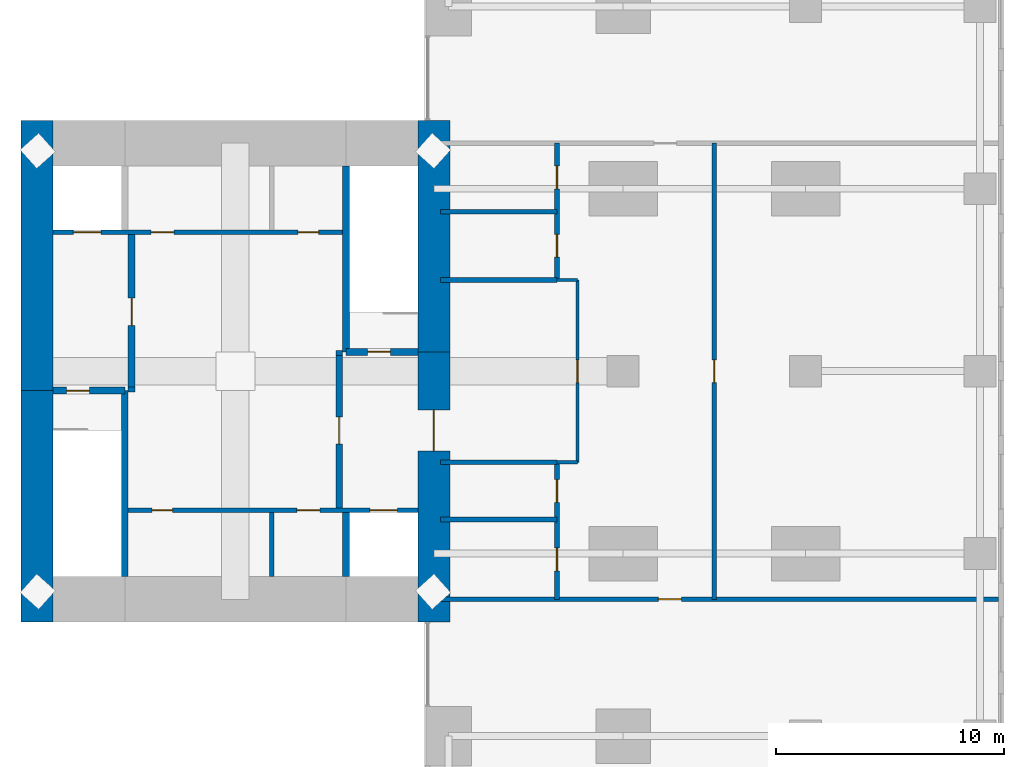
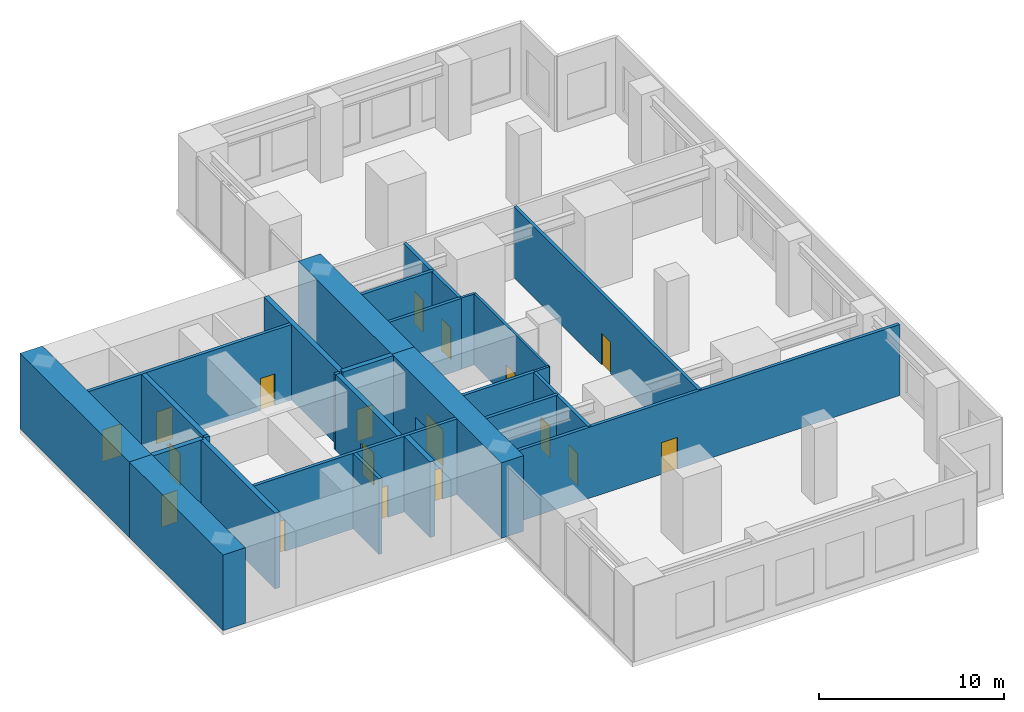
# One storey, part 5 of 7: 27 walls, 18 doors, 18 openings.
"""IFC4 building model written with IfcOpenShell, lengths in metres."""

from ifc_helpers import new_model, si_unit, direction, frame, frame_2d, origin, place, context, subcontext, project, spatial, rectangle, extrude, material, layer, layer_set, type_object, element, fill, save


model = new_model("IFC4")

# Units and contexts
model_context = context("Model", 3, precision=1e-05, world=origin(), true_north=direction((0.0, 1.0)))
body_context = subcontext(model_context, "Body", "Model", "MODEL_VIEW")
ifc_project = project(units=[si_unit("LENGTHUNIT", "METRE"), si_unit("AREAUNIT", "SQUARE_METRE"), si_unit("VOLUMEUNIT", "CUBIC_METRE"), si_unit("PLANEANGLEUNIT", "RADIAN"), si_unit("MASSUNIT", "GRAM", prefix="KILO")], contexts=[model_context])

# Site, building, storey
site_placement = place(None, origin())
site = spatial("IfcSite", under=ifc_project, at=site_placement, CompositionType="ELEMENT")
building_placement = place(site_placement, origin())
building = spatial("IfcBuilding", under=site, at=building_placement, Name="Cleftline Residences", CompositionType="ELEMENT")
storey_placement = place(building_placement, frame((0.0, 0.0, 296.60009765625)))
storey = spatial("IfcBuildingStorey", under=building, at=storey_placement, Name="L77", CompositionType="ELEMENT", Elevation=296.60009765625)

# Walls
ifc_material_1 = material(Name="Concrete B70", Category="concrete")
ifc_layer_1 = layer(ifc_material_1, 1.39990234375)
ifc_layer_set_1 = layer_set([ifc_layer_1], Name="CORE WALL 1400")
wall_type_1 = type_object("IfcWallType", Name="CORE WALL 1400", PredefinedType="SHEAR", material=ifc_layer_set_1)
wall_1_placement = place(storey_placement, frame((24.300048828125, 13.0, 0.0), z_axis=(0.0, 0.0, 1.0), x_axis=(0.0, 1.0, 0.0)))
element("IfcWall", 1, at=wall_1_placement, inside=storey, type_object=wall_type_1, Name="Core wall W0", PredefinedType="SHEAR", context=body_context, shape_type="SweptSolid", body=[
    extrude(rectangle(XDim=10.14990234375, YDim=1.39990234375, at=frame_2d((5.074951171875, 0.0))), origin(), (0.0, 0.0, 1.0), 5.0),
])
wall_2_placement = place(storey_placement, frame((24.300048828125, 23.14990234375, 0.0), z_axis=(0.0, 0.0, 1.0), x_axis=(0.0, 1.0, 0.0)))
element("IfcWall", 2, at=wall_2_placement, inside=storey, type_object=wall_type_1, Name="Core wall W", PredefinedType="SHEAR", context=body_context, shape_type="SweptSolid", body=[
    extrude(rectangle(XDim=11.85009765625, YDim=1.39990234375, at=frame_2d((5.925048828125, 0.0))), origin(), (0.0, 0.0, 1.0), 5.0),
])

# Wall, opening, door
wall_3_placement = place(storey_placement, frame((41.699951171875, 13.0, 0.0), z_axis=(0.0, 0.0, 1.0), x_axis=(0.0, 1.0, 0.0)))
wall_3 = element("IfcWall", 3, at=wall_3_placement, inside=storey, type_object=wall_type_1, Name="Core wall E", PredefinedType="SHEAR", context=body_context, shape_type="SweptSolid", body=[
    extrude(rectangle(XDim=11.85009765625, YDim=1.39990234375, at=frame_2d((5.925048828125, 0.0))), origin(), (0.0, 0.0, 1.0), 5.0),
])
opening_1_placement = place(wall_3_placement, frame((7.5, 0.0, 0.0)))
opening_1 = element("IfcOpeningElement", 4, at=opening_1_placement, cuts=wall_3, Name="Opening D7", PredefinedType="OPENING", context=body_context, shape_type="SweptSolid", body=[
    extrude(rectangle(XDim=1.800048828125, YDim=2.39990234375, at=frame_2d((0.89990234375, 1.199951171875))), frame((0.0, 0.7099609375, 0.0), z_axis=(0.0, -1.0, 0.0), x_axis=(1.0, 0.0, 0.0)), (0.0, 0.0, 1.0), 1.419921875),
])
ifc_material_2 = material(Name="Steel", Category="steel")
door_type_1 = type_object("IfcDoorType", Name="WING DOOR 1800X2400", OperationType="DOUBLE_DOOR_DOUBLE_SWING", PredefinedType="DOOR", material=ifc_material_2)
door_1_placement = place(opening_1_placement, origin())
door_1 = element("IfcDoor", 5, at=door_1_placement, inside=storey, type_object=door_type_1, Name="East wing door", OperationType="DOUBLE_DOOR_DOUBLE_SWING", OverallHeight=2.39990234375, OverallWidth=1.800048828125, PredefinedType="DOOR", context=body_context, shape_type="SweptSolid", body=[
    extrude(rectangle(XDim=1.800048828125, YDim=2.39990234375, at=frame_2d((0.89990234375, 1.199951171875))), frame((0.0, 0.02490234375, 0.0), z_axis=(0.0, -1.0, 0.0), x_axis=(1.0, 0.0, 0.0)), (0.0, 0.0, 1.0), 0.050048828125),
])
fill(opening_1, door_1)

# Walls
wall_4_placement = place(storey_placement, frame((41.699951171875, 24.85009765625, 0.0), z_axis=(0.0, 0.0, 1.0), x_axis=(0.0, 1.0, 0.0)))
element("IfcWall", 6, at=wall_4_placement, inside=storey, type_object=wall_type_1, Name="Core wall E1", PredefinedType="SHEAR", context=body_context, shape_type="SweptSolid", body=[
    extrude(rectangle(XDim=10.14990234375, YDim=1.39990234375, at=frame_2d((5.074951171875, 0.0))), origin(), (0.0, 0.0, 1.0), 5.0),
])
ifc_material_3 = material(Name="Concrete B70", Category="concrete")
ifc_layer_2 = layer(ifc_material_3, 0.300048828125)
ifc_layer_set_2 = layer_set([ifc_layer_2], Name="CORE WALL 300")
wall_type_2 = type_object("IfcWallType", Name="CORE WALL 300", PredefinedType="SHEAR", material=ifc_layer_set_2)
wall_5_placement = place(storey_placement, frame((28.14990234375, 15.0, 0.0), z_axis=(0.0, 0.0, 1.0), x_axis=(0.0, 1.0, 0.0)))
element("IfcWall", 7, at=wall_5_placement, inside=storey, type_object=wall_type_2, Name="Core wall SA-E", PredefinedType="SHEAR", context=body_context, shape_type="SweptSolid", body=[
    extrude(rectangle(XDim=8.14990234375, YDim=0.300048828125, at=frame_2d((4.074951171875, 0.0))), origin(), (0.0, 0.0, 1.0), 5.0),
])

# Wall, opening, door
wall_6_placement = place(storey_placement, frame((25.0, 23.14990234375, 0.0), z_axis=(0.0, 0.0, 1.0), x_axis=(1.0, 0.0, 0.0)))
wall_6 = element("IfcWall", 8, at=wall_6_placement, inside=storey, type_object=wall_type_2, Name="Core wall SA-N", PredefinedType="SHEAR", context=body_context, shape_type="SweptSolid", body=[
    extrude(rectangle(XDim=3.14990234375, YDim=0.300048828125, at=frame_2d((1.574951171875, 0.0))), origin(), (0.0, 0.0, 1.0), 5.0),
])
opening_2_placement = place(wall_6_placement, frame((0.60009765625, 0.0, 0.0)))
opening_2 = element("IfcOpeningElement", 9, at=opening_2_placement, cuts=wall_6, Name="Opening D5", PredefinedType="OPENING", context=body_context, shape_type="SweptSolid", body=[
    extrude(rectangle(XDim=1.0, YDim=2.10009765625, at=frame_2d((0.5, 1.050048828125))), frame((0.0, 0.159912109375, 0.0), z_axis=(0.0, -1.0, 0.0), x_axis=(1.0, 0.0, 0.0)), (0.0, 0.0, 1.0), 0.320068359375),
])
ifc_material_4 = material(Name="Steel", Category="steel")
door_type_2 = type_object("IfcDoorType", Name="STAIR DOOR 1000X2100", OperationType="SINGLE_SWING_LEFT", PredefinedType="DOOR", material=ifc_material_4)
door_2_placement = place(opening_2_placement, origin())
door_2 = element("IfcDoor", 10, at=door_2_placement, inside=storey, type_object=door_type_2, Name="Stair A door", OperationType="SINGLE_SWING_RIGHT", OverallHeight=2.10009765625, OverallWidth=1.0, PredefinedType="DOOR", context=body_context, shape_type="SweptSolid", body=[
    extrude(rectangle(XDim=1.0, YDim=2.10009765625, at=frame_2d((0.5, 1.050048828125))), frame((0.0, 0.02490234375, 0.0), z_axis=(0.0, -1.0, 0.0), x_axis=(1.0, 0.0, 0.0)), (0.0, 0.0, 1.0), 0.050048828125),
])
fill(opening_2, door_2)

# Wall
wall_7_placement = place(storey_placement, frame((37.85009765625, 24.85009765625, 0.0), z_axis=(0.0, 0.0, 1.0), x_axis=(0.0, 1.0, 0.0)))
element("IfcWall", 11, at=wall_7_placement, inside=storey, type_object=wall_type_2, Name="Core wall SB-W", PredefinedType="SHEAR", context=body_context, shape_type="SweptSolid", body=[
    extrude(rectangle(XDim=8.14990234375, YDim=0.300048828125, at=frame_2d((4.074951171875, 0.0))), origin(), (0.0, 0.0, 1.0), 5.0),
])

# Wall, opening, door
wall_8_placement = place(storey_placement, frame((37.85009765625, 24.85009765625, 0.0), z_axis=(0.0, 0.0, 1.0), x_axis=(1.0, 0.0, 0.0)))
wall_8 = element("IfcWall", 12, at=wall_8_placement, inside=storey, type_object=wall_type_2, Name="Core wall SB-S", PredefinedType="SHEAR", context=body_context, shape_type="SweptSolid", body=[
    extrude(rectangle(XDim=3.14990234375, YDim=0.300048828125, at=frame_2d((1.574951171875, 0.0))), origin(), (0.0, 0.0, 1.0), 5.0),
])
opening_3_placement = place(wall_8_placement, frame((0.949951171875, 0.0, 0.0)))
opening_3 = element("IfcOpeningElement", 13, at=opening_3_placement, cuts=wall_8, Name="Opening D5", PredefinedType="OPENING", context=body_context, shape_type="SweptSolid", body=[
    extrude(rectangle(XDim=1.0, YDim=2.10009765625, at=frame_2d((0.5, 1.050048828125))), frame((0.0, 0.159912109375, 0.0), z_axis=(0.0, -1.0, 0.0), x_axis=(1.0, 0.0, 0.0)), (0.0, 0.0, 1.0), 0.320068359375),
])
door_3_placement = place(opening_3_placement, origin())
door_3 = element("IfcDoor", 14, at=door_3_placement, inside=storey, type_object=door_type_2, Name="Stair B door", OperationType="SINGLE_SWING_RIGHT", OverallHeight=2.10009765625, OverallWidth=1.0, PredefinedType="DOOR", context=body_context, shape_type="SweptSolid", body=[
    extrude(rectangle(XDim=1.0, YDim=2.10009765625, at=frame_2d((0.5, 1.050048828125))), frame((0.0, 0.02490234375, 0.0), z_axis=(0.0, -1.0, 0.0), x_axis=(1.0, 0.0, 0.0)), (0.0, 0.0, 1.0), 0.050048828125),
])
fill(opening_3, door_3)

# Wall
wall_9_placement = place(storey_placement, frame((37.85009765625, 15.0, 0.0), z_axis=(0.0, 0.0, 1.0), x_axis=(0.0, 1.0, 0.0)))
element("IfcWall", 15, at=wall_9_placement, inside=storey, type_object=wall_type_2, Name="Lift shaft wall", PredefinedType="SHEAR", context=body_context, shape_type="SweptSolid", body=[
    extrude(rectangle(XDim=2.800048828125, YDim=0.300048828125, at=frame_2d((1.39990234375, 0.0))), origin(), (0.0, 0.0, 1.0), 5.0),
])

# Wall, opening, door
ifc_material_5 = material(Name="Concrete blockwork, fire rated", Category="masonry")
ifc_layer_3 = layer(ifc_material_5, 0.199951171875)
ifc_layer_set_3 = layer_set([ifc_layer_3], Name="FIRE WALL 200")
wall_type_3 = type_object("IfcWallType", Name="FIRE WALL 200", PredefinedType="PARTITIONING", material=ifc_layer_set_3)
wall_10_placement = place(storey_placement, frame((42.0, 14.0, 0.0), z_axis=(0.0, 0.0, 1.0), x_axis=(1.0, 0.0, 0.0)))
wall_10 = element("IfcWall", 16, at=wall_10_placement, inside=storey, type_object=wall_type_3, Name="Fire separating wall", PredefinedType="PARTITIONING", context=body_context, shape_type="SweptSolid", body=[
    extrude(rectangle(XDim=24.449951171875, YDim=0.199951171875, at=frame_2d((12.22509765625, 0.0))), origin(), (0.0, 0.0, 1.0), 4.699951171875),
])
opening_4_placement = place(wall_10_placement, frame((9.550048828125, 0.0, 0.0)))
opening_4 = element("IfcOpeningElement", 17, at=opening_4_placement, cuts=wall_10, Name="Opening D2F60", PredefinedType="OPENING", context=body_context, shape_type="SweptSolid", body=[
    extrude(rectangle(XDim=1.0, YDim=2.10009765625, at=frame_2d((0.5, 1.050048828125))), frame((0.0, 0.10986328125, 0.0), z_axis=(0.0, -1.0, 0.0), x_axis=(1.0, 0.0, 0.0)), (0.0, 0.0, 1.0), 0.219970703125),
])
ifc_material_6 = material(Name="Timber veneer on solid core", Category="wood")
door_type_3 = type_object("IfcDoorType", Name="DOOR 1000X2100 EI 60", OperationType="SINGLE_SWING_LEFT", PredefinedType="DOOR", material=ifc_material_6)
door_4_placement = place(opening_4_placement, origin())
door_4 = element("IfcDoor", 18, at=door_4_placement, inside=storey, type_object=door_type_3, Name="Door to electrical switch room", OperationType="SINGLE_SWING_RIGHT", OverallHeight=2.10009765625, OverallWidth=1.0, PredefinedType="DOOR", context=body_context, shape_type="SweptSolid", body=[
    extrude(rectangle(XDim=1.0, YDim=2.10009765625, at=frame_2d((0.5, 1.050048828125))), frame((0.0, 0.02490234375, 0.0), z_axis=(0.0, -1.0, 0.0), x_axis=(1.0, 0.0, 0.0)), (0.0, 0.0, 1.0), 0.050048828125),
])
fill(opening_4, door_4)

# Walls
for number, where, z_axis, x_axis, name in (
    (19, (42.0, 17.5, 0.0), (0.0, 0.0, 1.0), (1.0, 0.0, 0.0), "Fire separating wall"),
    (20, (42.0, 20.0, 0.0), (0.0, 0.0, 1.0), (1.0, 0.0, 0.0), "Fire separating wall"),
    (21, (42.0, 28.0, 0.0), (0.0, 0.0, 1.0), (1.0, 0.0, 0.0), "Fire separating wall"),
    (22, (42.0, 31.0, 0.0), (0.0, 0.0, 1.0), (1.0, 0.0, 0.0), "Fire separating wall"),
):
    element("IfcWall", number, at=place(storey_placement, frame(where, z_axis=z_axis, x_axis=x_axis)), inside=storey, type_object=wall_type_3, Name=name, PredefinedType="PARTITIONING", context=body_context, shape_type="SweptSolid", body=[
        extrude(rectangle(XDim=5.10009765625, YDim=0.199951171875, at=frame_2d((2.550048828125, 0.0))), origin(), (0.0, 0.0, 1.0), 4.699951171875),
    ])

# Wall, openings, doors
wall_11_placement = place(storey_placement, frame((47.10009765625, 14.0, 0.0), z_axis=(0.0, 0.0, 1.0), x_axis=(0.0, 1.0, 0.0)))
wall_11 = element("IfcWall", 23, at=wall_11_placement, inside=storey, type_object=wall_type_3, Name="Fire separating wall", PredefinedType="PARTITIONING", context=body_context, shape_type="SweptSolid", body=[
    extrude(rectangle(XDim=6.0, YDim=0.199951171875, at=frame_2d((3.0, 0.0))), origin(), (0.0, 0.0, 1.0), 4.699951171875),
])
opening_5_placement = place(wall_11_placement, frame((1.25, 0.0, 0.0)))
opening_5 = element("IfcOpeningElement", 24, at=opening_5_placement, cuts=wall_11, Name="Opening D2F60", PredefinedType="OPENING", context=body_context, shape_type="SweptSolid", body=[
    extrude(rectangle(XDim=1.0, YDim=2.10009765625, at=frame_2d((0.5, 1.050048828125))), frame((0.0, 0.10986328125, 0.0), z_axis=(0.0, -1.0, 0.0), x_axis=(1.0, 0.0, 0.0)), (0.0, 0.0, 1.0), 0.219970703125),
])
opening_6_placement = place(wall_11_placement, frame((4.25, 0.0, 0.0)))
opening_6 = element("IfcOpeningElement", 25, at=opening_6_placement, cuts=wall_11, Name="Opening D2F60", PredefinedType="OPENING", context=body_context, shape_type="SweptSolid", body=[
    extrude(rectangle(XDim=1.0, YDim=2.10009765625, at=frame_2d((0.5, 1.050048828125))), frame((0.0, 0.10986328125, 0.0), z_axis=(0.0, -1.0, 0.0), x_axis=(1.0, 0.0, 0.0)), (0.0, 0.0, 1.0), 0.219970703125),
])
door_5_placement = place(opening_5_placement, origin())
door_5 = element("IfcDoor", 26, at=door_5_placement, inside=storey, type_object=door_type_3, Name="Door to electrical room", OperationType="SINGLE_SWING_RIGHT", OverallHeight=2.10009765625, OverallWidth=1.0, PredefinedType="DOOR", context=body_context, shape_type="SweptSolid", body=[
    extrude(rectangle(XDim=1.0, YDim=2.10009765625, at=frame_2d((0.5, 1.050048828125))), frame((0.0, 0.02490234375, 0.0), z_axis=(0.0, -1.0, 0.0), x_axis=(1.0, 0.0, 0.0)), (0.0, 0.0, 1.0), 0.050048828125),
])
fill(opening_5, door_5)
door_6_placement = place(opening_6_placement, origin())
door_6 = element("IfcDoor", 27, at=door_6_placement, inside=storey, type_object=door_type_3, Name="Door to fire pump room", OperationType="SINGLE_SWING_LEFT", OverallHeight=2.10009765625, OverallWidth=1.0, PredefinedType="DOOR", context=body_context, shape_type="SweptSolid", body=[
    extrude(rectangle(XDim=1.0, YDim=2.10009765625, at=frame_2d((0.5, 1.050048828125))), frame((0.0, 0.02490234375, 0.0), z_axis=(0.0, -1.0, 0.0), x_axis=(1.0, 0.0, 0.0)), (0.0, 0.0, 1.0), 0.050048828125),
])
fill(opening_6, door_6)

wall_12_placement = place(storey_placement, frame((47.10009765625, 28.0, 0.0), z_axis=(0.0, 0.0, 1.0), x_axis=(0.0, 1.0, 0.0)))
wall_12 = element("IfcWall", 28, at=wall_12_placement, inside=storey, type_object=wall_type_3, Name="Fire separating wall", PredefinedType="PARTITIONING", context=body_context, shape_type="SweptSolid", body=[
    extrude(rectangle(XDim=6.0, YDim=0.199951171875, at=frame_2d((3.0, 0.0))), origin(), (0.0, 0.0, 1.0), 4.699951171875),
])
opening_7_placement = place(wall_12_placement, frame((1.0, 0.0, 0.0)))
opening_7 = element("IfcOpeningElement", 29, at=opening_7_placement, cuts=wall_12, Name="Opening D2F60", PredefinedType="OPENING", context=body_context, shape_type="SweptSolid", body=[
    extrude(rectangle(XDim=1.0, YDim=2.10009765625, at=frame_2d((0.5, 1.050048828125))), frame((0.0, 0.10986328125, 0.0), z_axis=(0.0, -1.0, 0.0), x_axis=(1.0, 0.0, 0.0)), (0.0, 0.0, 1.0), 0.219970703125),
])
opening_8_placement = place(wall_12_placement, frame((4.0, 0.0, 0.0)))
opening_8 = element("IfcOpeningElement", 30, at=opening_8_placement, cuts=wall_12, Name="Opening D2F60", PredefinedType="OPENING", context=body_context, shape_type="SweptSolid", body=[
    extrude(rectangle(XDim=1.0, YDim=2.10009765625, at=frame_2d((0.5, 1.050048828125))), frame((0.0, 0.10986328125, 0.0), z_axis=(0.0, -1.0, 0.0), x_axis=(1.0, 0.0, 0.0)), (0.0, 0.0, 1.0), 0.219970703125),
])
door_7_placement = place(opening_7_placement, origin())
door_7 = element("IfcDoor", 31, at=door_7_placement, inside=storey, type_object=door_type_3, Name="Door to water tank room", OperationType="SINGLE_SWING_RIGHT", OverallHeight=2.10009765625, OverallWidth=1.0, PredefinedType="DOOR", context=body_context, shape_type="SweptSolid", body=[
    extrude(rectangle(XDim=1.0, YDim=2.10009765625, at=frame_2d((0.5, 1.050048828125))), frame((0.0, 0.02490234375, 0.0), z_axis=(0.0, -1.0, 0.0), x_axis=(1.0, 0.0, 0.0)), (0.0, 0.0, 1.0), 0.050048828125),
])
fill(opening_7, door_7)
door_8_placement = place(opening_8_placement, origin())
door_8 = element("IfcDoor", 32, at=door_8_placement, inside=storey, type_object=door_type_3, Name="Door to communications room", OperationType="SINGLE_SWING_LEFT", OverallHeight=2.10009765625, OverallWidth=1.0, PredefinedType="DOOR", context=body_context, shape_type="SweptSolid", body=[
    extrude(rectangle(XDim=1.0, YDim=2.10009765625, at=frame_2d((0.5, 1.050048828125))), frame((0.0, 0.02490234375, 0.0), z_axis=(0.0, -1.0, 0.0), x_axis=(1.0, 0.0, 0.0)), (0.0, 0.0, 1.0), 0.050048828125),
])
fill(opening_8, door_8)

# Wall, opening, door
wall_13_placement = place(storey_placement, frame((54.0, 14.0, 0.0), z_axis=(0.0, 0.0, 1.0), x_axis=(0.0, 1.0, 0.0)))
wall_13 = element("IfcWall", 33, at=wall_13_placement, inside=storey, type_object=wall_type_3, Name="Fire separating wall", PredefinedType="PARTITIONING", context=body_context, shape_type="SweptSolid", body=[
    extrude(rectangle(XDim=20.0, YDim=0.199951171875, at=frame_2d((10.0, 0.0))), origin(), (0.0, 0.0, 1.0), 4.699951171875),
])
opening_9_placement = place(wall_13_placement, frame((9.5, 0.0, 0.0)))
opening_9 = element("IfcOpeningElement", 34, at=opening_9_placement, cuts=wall_13, Name="Opening D2F60", PredefinedType="OPENING", context=body_context, shape_type="SweptSolid", body=[
    extrude(rectangle(XDim=1.0, YDim=2.10009765625, at=frame_2d((0.5, 1.050048828125))), frame((0.0, 0.10986328125, 0.0), z_axis=(0.0, -1.0, 0.0), x_axis=(1.0, 0.0, 0.0)), (0.0, 0.0, 1.0), 0.219970703125),
])
door_9_placement = place(opening_9_placement, origin())
door_9 = element("IfcDoor", 35, at=door_9_placement, inside=storey, type_object=door_type_3, Name="Door to ventilation plant room", OperationType="SINGLE_SWING_LEFT", OverallHeight=2.10009765625, OverallWidth=1.0, PredefinedType="DOOR", context=body_context, shape_type="SweptSolid", body=[
    extrude(rectangle(XDim=1.0, YDim=2.10009765625, at=frame_2d((0.5, 1.050048828125))), frame((0.0, 0.02490234375, 0.0), z_axis=(0.0, -1.0, 0.0), x_axis=(1.0, 0.0, 0.0)), (0.0, 0.0, 1.0), 0.050048828125),
])
fill(opening_9, door_9)

# Walls
for number, where, z_axis, x_axis, name in (
    (36, (28.300048828125, 23.199951171875, 0.0), (0.0, 0.0, 1.0), (1.0, 0.0, 0.0), "Fire separating wall"),
    (37, (37.39990234375, 24.800048828125, 0.0), (0.0, 0.0, 1.0), (1.0, 0.0, 0.0), "Fire separating wall"),
):
    element("IfcWall", number, at=place(storey_placement, frame(where, z_axis=z_axis, x_axis=x_axis)), inside=storey, type_object=wall_type_3, Name=name, PredefinedType="PARTITIONING", context=body_context, shape_type="SweptSolid", body=[
        extrude(rectangle(XDim=0.300048828125, YDim=0.199951171875, at=frame_2d((0.14990234375, 0.0))), origin(), (0.0, 0.0, 1.0), 5.0),
    ])
ifc_material_7 = material(Name="Gypsum board on steel studs", Category="steel")
ifc_layer_4 = layer(ifc_material_7, 0.14990234375)
ifc_layer_set_4 = layer_set([ifc_layer_4], Name="PARTITION 150")
wall_type_4 = type_object("IfcWallType", Name="PARTITION 150", PredefinedType="PARTITIONING", material=ifc_layer_set_4)
for number, where, z_axis, x_axis, name in (
    (38, (47.10009765625, 20.0, 0.0), (0.0, 0.0, 1.0), (1.0, 0.0, 0.0), "Partition"),
    (39, (47.10009765625, 28.0, 0.0), (0.0, 0.0, 1.0), (1.0, 0.0, 0.0), "Partition"),
):
    element("IfcWall", number, at=place(storey_placement, frame(where, z_axis=z_axis, x_axis=x_axis)), inside=storey, type_object=wall_type_4, Name=name, PredefinedType="PARTITIONING", context=body_context, shape_type="SweptSolid", body=[
        extrude(rectangle(XDim=0.89990234375, YDim=0.14990234375, at=frame_2d((0.449951171875, 0.0))), origin(), (0.0, 0.0, 1.0), 4.699951171875),
    ])

# Wall, opening, door
wall_14_placement = place(storey_placement, frame((48.0, 20.0, 0.0), z_axis=(0.0, 0.0, 1.0), x_axis=(0.0, 1.0, 0.0)))
wall_14 = element("IfcWall", 40, at=wall_14_placement, inside=storey, type_object=wall_type_4, Name="Partition", PredefinedType="PARTITIONING", context=body_context, shape_type="SweptSolid", body=[
    extrude(rectangle(XDim=8.0, YDim=0.14990234375, at=frame_2d((4.0, 0.0))), origin(), (0.0, 0.0, 1.0), 4.699951171875),
])
opening_10_placement = place(wall_14_placement, frame((3.5, 0.0, 0.0)))
opening_10 = element("IfcOpeningElement", 41, at=opening_10_placement, cuts=wall_14, Name="Opening D2F30", PredefinedType="OPENING", context=body_context, shape_type="SweptSolid", body=[
    extrude(rectangle(XDim=1.0, YDim=2.10009765625, at=frame_2d((0.5, 1.050048828125))), frame((0.0, 0.0849609375, 0.0), z_axis=(0.0, -1.0, 0.0), x_axis=(1.0, 0.0, 0.0)), (0.0, 0.0, 1.0), 0.169921875),
])
ifc_material_8 = material(Name="Timber veneer on solid core", Category="wood")
door_type_4 = type_object("IfcDoorType", Name="DOOR 1000X2100 EI 30", OperationType="SINGLE_SWING_LEFT", PredefinedType="DOOR", material=ifc_material_8)
door_10_placement = place(opening_10_placement, origin())
door_10 = element("IfcDoor", 42, at=door_10_placement, inside=storey, type_object=door_type_4, Name="Door to corridor", OperationType="SINGLE_SWING_LEFT", OverallHeight=2.10009765625, OverallWidth=1.0, PredefinedType="DOOR", context=body_context, shape_type="SweptSolid", body=[
    extrude(rectangle(XDim=1.0, YDim=2.10009765625, at=frame_2d((0.5, 1.050048828125))), frame((0.0, 0.02490234375, 0.0), z_axis=(0.0, -1.0, 0.0), x_axis=(1.0, 0.0, 0.0)), (0.0, 0.0, 1.0), 0.050048828125),
])
fill(opening_10, door_10)

# Wall, openings, doors
ifc_material_9 = material(Name="Concrete blockwork, fire rated", Category="masonry")
ifc_layer_5 = layer(ifc_material_9, 0.199951171875)
ifc_layer_set_5 = layer_set([ifc_layer_5], Name="SHAFT WALL 200")
wall_type_5 = type_object("IfcWallType", Name="SHAFT WALL 200", PredefinedType="PARTITIONING", material=ifc_layer_set_5)
wall_15_placement = place(storey_placement, frame((28.300048828125, 17.89990234375, 0.0), z_axis=(0.0, 0.0, 1.0), x_axis=(1.0, 0.0, 0.0)))
wall_15 = element("IfcWall", 43, at=wall_15_placement, inside=storey, type_object=wall_type_5, Name="Core room wall", PredefinedType="PARTITIONING", context=body_context, shape_type="SweptSolid", body=[
    extrude(rectangle(XDim=12.699951171875, YDim=0.199951171875, at=frame_2d((6.35009765625, 0.0))), origin(), (0.0, 0.0, 1.0), 5.0),
])
opening_11_placement = place(wall_15_placement, frame((1.050048828125, 0.0, 0.0)))
opening_11 = element("IfcOpeningElement", 44, at=opening_11_placement, cuts=wall_15, Name="Opening D1F30", PredefinedType="OPENING", context=body_context, shape_type="SweptSolid", body=[
    extrude(rectangle(XDim=0.89990234375, YDim=2.10009765625, at=frame_2d((0.449951171875, 1.050048828125))), frame((0.0, 0.10986328125, 0.0), z_axis=(0.0, -1.0, 0.0), x_axis=(1.0, 0.0, 0.0)), (0.0, 0.0, 1.0), 0.219970703125),
])
opening_12_placement = place(wall_15_placement, frame((7.39990234375, 0.0, 0.0)))
opening_12 = element("IfcOpeningElement", 45, at=opening_12_placement, cuts=wall_15, Name="Opening D2F60", PredefinedType="OPENING", context=body_context, shape_type="SweptSolid", body=[
    extrude(rectangle(XDim=1.0, YDim=2.10009765625, at=frame_2d((0.5, 1.050048828125))), frame((0.0, 0.10986328125, 0.0), z_axis=(0.0, -1.0, 0.0), x_axis=(1.0, 0.0, 0.0)), (0.0, 0.0, 1.0), 0.219970703125),
])
opening_13_placement = place(wall_15_placement, frame((10.60009765625, 0.0, 0.0)))
opening_13 = element("IfcOpeningElement", 46, at=opening_13_placement, cuts=wall_15, Name="Opening LD2", PredefinedType="OPENING", context=body_context, shape_type="SweptSolid", body=[
    extrude(rectangle(XDim=1.199951171875, YDim=2.10009765625, at=frame_2d((0.60009765625, 1.050048828125))), frame((0.0, 0.10986328125, 0.0), z_axis=(0.0, -1.0, 0.0), x_axis=(1.0, 0.0, 0.0)), (0.0, 0.0, 1.0), 0.219970703125),
])
door_11_placement = place(opening_12_placement, origin())
door_11 = element("IfcDoor", 47, at=door_11_placement, inside=storey, type_object=door_type_3, Name="Door to electrical room", OperationType="SINGLE_SWING_LEFT", OverallHeight=2.10009765625, OverallWidth=1.0, PredefinedType="DOOR", context=body_context, shape_type="SweptSolid", body=[
    extrude(rectangle(XDim=1.0, YDim=2.10009765625, at=frame_2d((0.5, 1.050048828125))), frame((0.0, 0.02490234375, 0.0), z_axis=(0.0, -1.0, 0.0), x_axis=(1.0, 0.0, 0.0)), (0.0, 0.0, 1.0), 0.050048828125),
])
fill(opening_12, door_11)
ifc_material_10 = material(Name="Timber veneer on solid core", Category="wood")
door_type_5 = type_object("IfcDoorType", Name="DOOR 900X2100 EI 30", OperationType="SINGLE_SWING_LEFT", PredefinedType="DOOR", material=ifc_material_10)
door_12_placement = place(opening_11_placement, origin())
door_12 = element("IfcDoor", 48, at=door_12_placement, inside=storey, type_object=door_type_5, Name="Door to spare parts store", OperationType="SINGLE_SWING_RIGHT", OverallHeight=2.10009765625, OverallWidth=0.89990234375, PredefinedType="DOOR", context=body_context, shape_type="SweptSolid", body=[
    extrude(rectangle(XDim=0.89990234375, YDim=2.10009765625, at=frame_2d((0.449951171875, 1.050048828125))), frame((0.0, 0.02490234375, 0.0), z_axis=(0.0, -1.0, 0.0), x_axis=(1.0, 0.0, 0.0)), (0.0, 0.0, 1.0), 0.050048828125),
])
fill(opening_11, door_12)
ifc_material_11 = material(Name="Steel", Category="steel")
door_type_6 = type_object("IfcDoorType", Name="FIREFIGHTING LIFT LANDING DOOR 1200X2100", OperationType="SLIDING_TO_LEFT", PredefinedType="DOOR", material=ifc_material_11)
door_13_placement = place(opening_13_placement, origin())
door_13 = element("IfcDoor", 49, at=door_13_placement, inside=storey, type_object=door_type_6, Name="Lift FL2 landing door", OperationType="SLIDING_TO_LEFT", OverallHeight=2.10009765625, OverallWidth=1.199951171875, PredefinedType="DOOR", context=body_context, shape_type="SweptSolid", body=[
    extrude(rectangle(XDim=1.199951171875, YDim=2.10009765625, at=frame_2d((0.60009765625, 1.050048828125))), frame((0.0, 0.02490234375, 0.0), z_axis=(0.0, -1.0, 0.0), x_axis=(1.0, 0.0, 0.0)), (0.0, 0.0, 1.0), 0.050048828125),
])
fill(opening_13, door_13)

wall_16_placement = place(storey_placement, frame((25.0, 30.10009765625, 0.0), z_axis=(0.0, 0.0, 1.0), x_axis=(1.0, 0.0, 0.0)))
wall_16 = element("IfcWall", 50, at=wall_16_placement, inside=storey, type_object=wall_type_5, Name="Core room wall", PredefinedType="PARTITIONING", context=body_context, shape_type="SweptSolid", body=[
    extrude(rectangle(XDim=12.699951171875, YDim=0.199951171875, at=frame_2d((6.35009765625, 0.0))), origin(), (0.0, 0.0, 1.0), 5.0),
])
opening_14_placement = place(wall_16_placement, frame((4.300048828125, 0.0, 0.0)))
opening_14 = element("IfcOpeningElement", 51, at=opening_14_placement, cuts=wall_16, Name="Opening D2F60", PredefinedType="OPENING", context=body_context, shape_type="SweptSolid", body=[
    extrude(rectangle(XDim=1.0, YDim=2.10009765625, at=frame_2d((0.5, 1.050048828125))), frame((0.0, 0.10986328125, 0.0), z_axis=(0.0, -1.0, 0.0), x_axis=(1.0, 0.0, 0.0)), (0.0, 0.0, 1.0), 0.219970703125),
])
opening_15_placement = place(wall_16_placement, frame((10.75, 0.0, 0.0)))
opening_15 = element("IfcOpeningElement", 52, at=opening_15_placement, cuts=wall_16, Name="Opening D1F30", PredefinedType="OPENING", context=body_context, shape_type="SweptSolid", body=[
    extrude(rectangle(XDim=0.89990234375, YDim=2.10009765625, at=frame_2d((0.449951171875, 1.050048828125))), frame((0.0, 0.10986328125, 0.0), z_axis=(0.0, -1.0, 0.0), x_axis=(1.0, 0.0, 0.0)), (0.0, 0.0, 1.0), 0.219970703125),
])
opening_16_placement = place(wall_16_placement, frame((0.89990234375, 0.0, 0.0)))
opening_16 = element("IfcOpeningElement", 53, at=opening_16_placement, cuts=wall_16, Name="Opening LD2", PredefinedType="OPENING", context=body_context, shape_type="SweptSolid", body=[
    extrude(rectangle(XDim=1.199951171875, YDim=2.10009765625, at=frame_2d((0.60009765625, 1.050048828125))), frame((0.0, 0.10986328125, 0.0), z_axis=(0.0, -1.0, 0.0), x_axis=(1.0, 0.0, 0.0)), (0.0, 0.0, 1.0), 0.219970703125),
])
door_14_placement = place(opening_14_placement, origin())
door_14 = element("IfcDoor", 54, at=door_14_placement, inside=storey, type_object=door_type_3, Name="Door to electrical room", OperationType="SINGLE_SWING_RIGHT", OverallHeight=2.10009765625, OverallWidth=1.0, PredefinedType="DOOR", context=body_context, shape_type="SweptSolid", body=[
    extrude(rectangle(XDim=1.0, YDim=2.10009765625, at=frame_2d((0.5, 1.050048828125))), frame((0.0, 0.02490234375, 0.0), z_axis=(0.0, -1.0, 0.0), x_axis=(1.0, 0.0, 0.0)), (0.0, 0.0, 1.0), 0.050048828125),
])
fill(opening_14, door_14)
door_15_placement = place(opening_15_placement, origin())
door_15 = element("IfcDoor", 55, at=door_15_placement, inside=storey, type_object=door_type_5, Name="Door to maintenance store", OperationType="SINGLE_SWING_LEFT", OverallHeight=2.10009765625, OverallWidth=0.89990234375, PredefinedType="DOOR", context=body_context, shape_type="SweptSolid", body=[
    extrude(rectangle(XDim=0.89990234375, YDim=2.10009765625, at=frame_2d((0.449951171875, 1.050048828125))), frame((0.0, 0.02490234375, 0.0), z_axis=(0.0, -1.0, 0.0), x_axis=(1.0, 0.0, 0.0)), (0.0, 0.0, 1.0), 0.050048828125),
])
fill(opening_15, door_15)
door_16_placement = place(opening_16_placement, origin())
door_16 = element("IfcDoor", 56, at=door_16_placement, inside=storey, type_object=door_type_6, Name="Lift FL1 landing door", OperationType="SLIDING_TO_LEFT", OverallHeight=2.10009765625, OverallWidth=1.199951171875, PredefinedType="DOOR", context=body_context, shape_type="SweptSolid", body=[
    extrude(rectangle(XDim=1.199951171875, YDim=2.10009765625, at=frame_2d((0.60009765625, 1.050048828125))), frame((0.0, 0.02490234375, 0.0), z_axis=(0.0, -1.0, 0.0), x_axis=(1.0, 0.0, 0.0)), (0.0, 0.0, 1.0), 0.050048828125),
])
fill(opening_16, door_16)

# Wall
wall_17_placement = place(storey_placement, frame((34.60009765625, 15.0, 0.0), z_axis=(0.0, 0.0, 1.0), x_axis=(0.0, 1.0, 0.0)))
element("IfcWall", 57, at=wall_17_placement, inside=storey, type_object=wall_type_5, Name="Core room wall", PredefinedType="PARTITIONING", context=body_context, shape_type="SweptSolid", body=[
    extrude(rectangle(XDim=2.800048828125, YDim=0.199951171875, at=frame_2d((1.39990234375, 0.0))), origin(), (0.0, 0.0, 1.0), 5.0),
])

# Wall, opening, door
ifc_material_12 = material(Name="Concrete blockwork, fire rated", Category="masonry")
ifc_layer_6 = layer(ifc_material_12, 0.300048828125)
ifc_layer_set_6 = layer_set([ifc_layer_6], Name="STAIR LOBBY WALL 300")
wall_type_6 = type_object("IfcWallType", Name="STAIR LOBBY WALL 300", PredefinedType="PARTITIONING", material=ifc_layer_set_6)
wall_18_placement = place(storey_placement, frame((28.449951171875, 23.300048828125, 0.0), z_axis=(0.0, 0.0, 1.0), x_axis=(0.0, 1.0, 0.0)))
wall_18 = element("IfcWall", 58, at=wall_18_placement, inside=storey, type_object=wall_type_6, Name="Stair and lobby wall FA-E", PredefinedType="PARTITIONING", context=body_context, shape_type="SweptSolid", body=[
    extrude(rectangle(XDim=6.699951171875, YDim=0.300048828125, at=frame_2d((3.35009765625, 0.0))), origin(), (0.0, 0.0, 1.0), 5.0),
])
opening_17_placement = place(wall_18_placement, frame((2.699951171875, 0.0, 0.0)))
opening_17 = element("IfcOpeningElement", 59, at=opening_17_placement, cuts=wall_18, Name="Opening D6", PredefinedType="OPENING", context=body_context, shape_type="SweptSolid", body=[
    extrude(rectangle(XDim=1.199951171875, YDim=2.10009765625, at=frame_2d((0.60009765625, 1.050048828125))), frame((0.0, 0.159912109375, 0.0), z_axis=(0.0, -1.0, 0.0), x_axis=(1.0, 0.0, 0.0)), (0.0, 0.0, 1.0), 0.320068359375),
])
ifc_material_13 = material(Name="Steel", Category="steel")
door_type_7 = type_object("IfcDoorType", Name="LOBBY DOOR 1200X2100", OperationType="SINGLE_SWING_RIGHT", PredefinedType="DOOR", material=ifc_material_13)
door_17_placement = place(opening_17_placement, origin())
door_17 = element("IfcDoor", 60, at=door_17_placement, inside=storey, type_object=door_type_7, Name="Firefighting lobby A door", OperationType="SINGLE_SWING_RIGHT", OverallHeight=2.10009765625, OverallWidth=1.199951171875, PredefinedType="DOOR", context=body_context, shape_type="SweptSolid", body=[
    extrude(rectangle(XDim=1.199951171875, YDim=2.10009765625, at=frame_2d((0.60009765625, 1.050048828125))), frame((0.0, 0.02490234375, 0.0), z_axis=(0.0, -1.0, 0.0), x_axis=(1.0, 0.0, 0.0)), (0.0, 0.0, 1.0), 0.050048828125),
])
fill(opening_17, door_17)

wall_19_placement = place(storey_placement, frame((37.550048828125, 18.0, 0.0), z_axis=(0.0, 0.0, 1.0), x_axis=(0.0, 1.0, 0.0)))
wall_19 = element("IfcWall", 61, at=wall_19_placement, inside=storey, type_object=wall_type_6, Name="Stair and lobby wall FB-W", PredefinedType="PARTITIONING", context=body_context, shape_type="SweptSolid", body=[
    extrude(rectangle(XDim=6.699951171875, YDim=0.300048828125, at=frame_2d((3.35009765625, 0.0))), origin(), (0.0, 0.0, 1.0), 5.0),
])
opening_18_placement = place(wall_19_placement, frame((2.800048828125, 0.0, 0.0)))
opening_18 = element("IfcOpeningElement", 62, at=opening_18_placement, cuts=wall_19, Name="Opening D6", PredefinedType="OPENING", context=body_context, shape_type="SweptSolid", body=[
    extrude(rectangle(XDim=1.199951171875, YDim=2.10009765625, at=frame_2d((0.60009765625, 1.050048828125))), frame((0.0, 0.159912109375, 0.0), z_axis=(0.0, -1.0, 0.0), x_axis=(1.0, 0.0, 0.0)), (0.0, 0.0, 1.0), 0.320068359375),
])
door_18_placement = place(opening_18_placement, origin())
door_18 = element("IfcDoor", 63, at=door_18_placement, inside=storey, type_object=door_type_7, Name="Firefighting lobby B door", OperationType="SINGLE_SWING_LEFT", OverallHeight=2.10009765625, OverallWidth=1.199951171875, PredefinedType="DOOR", context=body_context, shape_type="SweptSolid", body=[
    extrude(rectangle(XDim=1.199951171875, YDim=2.10009765625, at=frame_2d((0.60009765625, 1.050048828125))), frame((0.0, 0.02490234375, 0.0), z_axis=(0.0, -1.0, 0.0), x_axis=(1.0, 0.0, 0.0)), (0.0, 0.0, 1.0), 0.050048828125),
])
fill(opening_18, door_18)

save(model, "model.ifc")
